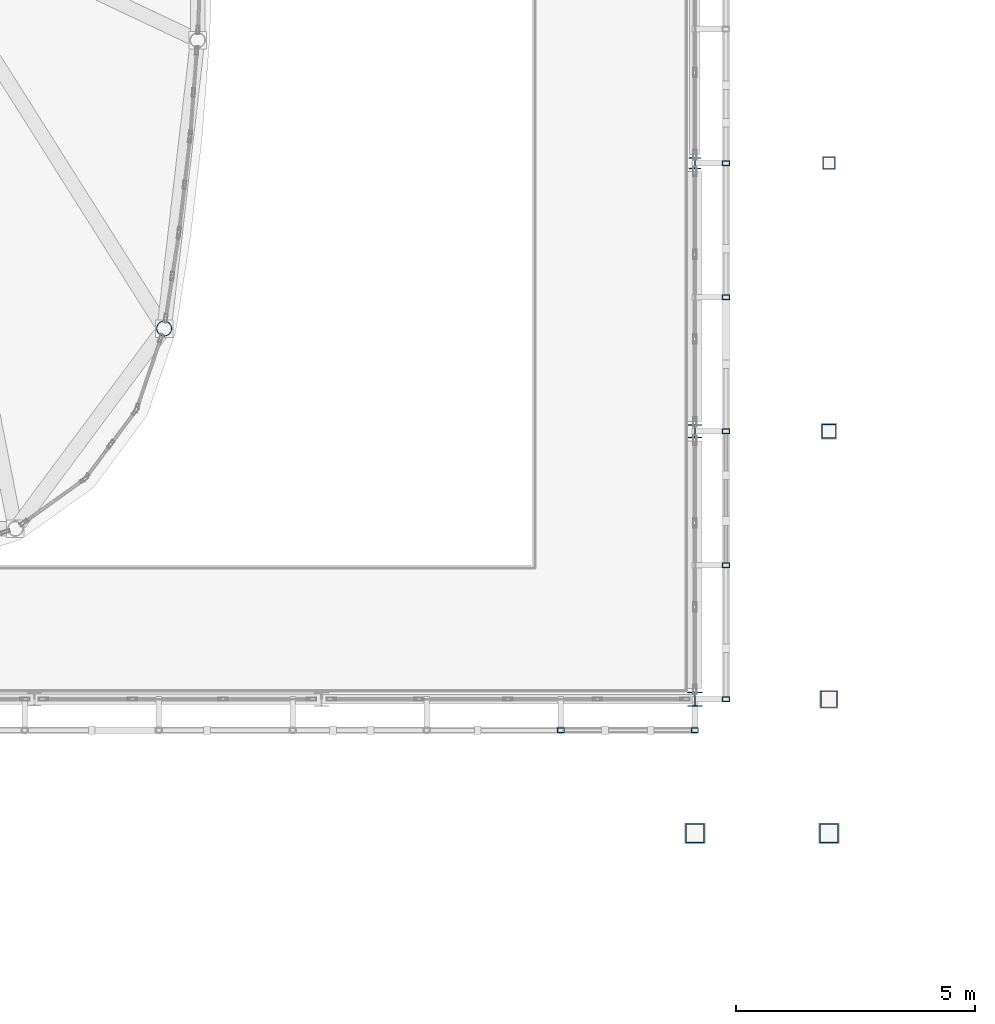
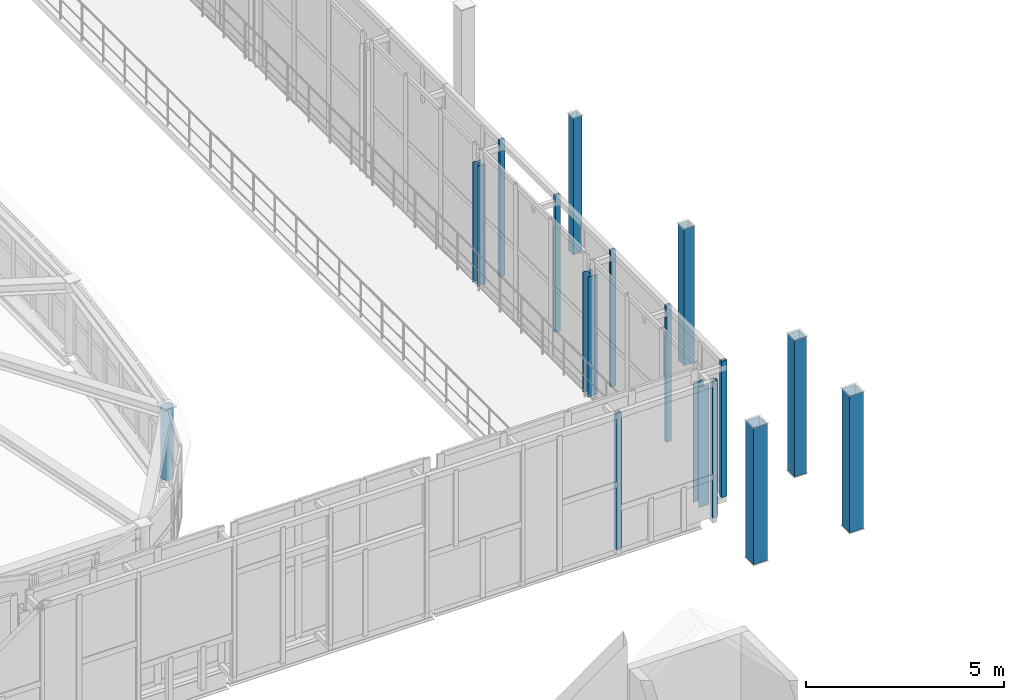
# One storey, part 4 of 78: 16 columns.
"""IFC4 building model written with IfcOpenShell, lengths in metres."""

import ifcopenshell
import ifcopenshell.guid

model = None  # the IFC model being written
_history = None  # IfcOwnerHistory: only IFC2X3 demands one
_inside = {}  # id of a spatial element -> (the spatial element, [elements in it])
_under = {}  # id of a project, library or spatial element -> (it, [spatial elements below it])
_declared = {}  # id of a project -> (the project, [libraries it declares])
_typed = {}  # id of a type object -> (the type object, [elements of that type])
_made_of = {}  # id of a material, layer set ... -> (it, [elements and type objects made of it])


def new_model(schema):
    """Start an empty IFC model of exactly this schema.

    Asked for "IFC4X3", IfcOpenShell would pick the latest addendum, in which some entities
    have other attributes; the version numbers below select the first issue.
    IFC2X3 requires an IfcOwnerHistory on every rooted entity: one is made here for all.
    """
    global model, _history
    if schema == "IFC4X3":
        model = ifcopenshell.file(schema_version=(4, 3, 0, 0))
    else:
        model = ifcopenshell.file(schema=schema)
    _inside.clear()
    _under.clear()
    _declared.clear()
    _typed.clear()
    _made_of.clear()
    _history = None
    if model.schema == "IFC2X3":
        org = make("IfcOrganization", Name="unknown")
        user = make(
            "IfcPersonAndOrganization",
            ThePerson=make("IfcPerson", FamilyName="unknown"),
            TheOrganization=org,
        )
        app = make(
            "IfcApplication",
            ApplicationDeveloper=org,
            Version="unknown",
            ApplicationFullName="unknown",
            ApplicationIdentifier="unknown",
        )
        _history = make(
            "IfcOwnerHistory",
            OwningUser=user,
            OwningApplication=app,
            ChangeAction="ADDED",
            CreationDate=0,
        )
    return model


def make(cls, **values):
    """One entity of the class cls with the attributes given. An attribute that is None is left unset."""
    return model.create_entity(
        cls, **{name: value for name, value in values.items() if value is not None}
    )


def rooted(cls, **values):
    """An entity with a GlobalId (a new one), such as an element, a storey or a relation."""
    return make(cls, GlobalId=ifcopenshell.guid.new(), OwnerHistory=_history, **values)


def si_unit(unit_type, name, prefix=None):
    """IfcSIUnit, for example si_unit("LENGTHUNIT", "METRE", prefix="MILLI")."""
    return make("IfcSIUnit", UnitType=unit_type, Prefix=prefix, Name=name)


def assignment(units):
    """IfcUnitAssignment: the units of a project."""
    return None if units is None else make("IfcUnitAssignment", Units=units)


def point(xyz):
    """IfcCartesianPoint."""
    return None if xyz is None else make("IfcCartesianPoint", Coordinates=xyz)


def direction(xyz):
    """IfcDirection."""
    return None if xyz is None else make("IfcDirection", DirectionRatios=xyz)


def frame(location, z_axis=None, x_axis=None):
    """IfcAxis2Placement3D, a coordinate frame: its origin and axes. An axis left out is left unset."""
    return make(
        "IfcAxis2Placement3D",
        Location=point(location),
        Axis=direction(z_axis),
        RefDirection=direction(x_axis),
    )


def frame_2d(location, x_axis=None):
    """IfcAxis2Placement2D, a coordinate frame in the plane: its origin and x axis."""
    return make(
        "IfcAxis2Placement2D", Location=point(location), RefDirection=direction(x_axis)
    )


def origin():
    """The frame at (0, 0, 0) with its axes left unset."""
    return frame((0.0, 0.0, 0.0))


def origin_2d():
    """The frame at (0, 0) in the plane with its x axis left unset."""
    return frame_2d((0.0, 0.0))


def place(relative_to, where):
    """IfcLocalPlacement: puts the frame where relative to a parent placement (None: the world)."""
    return make(
        "IfcLocalPlacement", PlacementRelTo=relative_to, RelativePlacement=where
    )


def context(
    kind, dimensions, precision=None, world=None, true_north=None, identifier=None
):
    """IfcGeometricRepresentationContext, for example the 3D "Model" context."""
    return make(
        "IfcGeometricRepresentationContext",
        ContextIdentifier=identifier,
        ContextType=kind,
        CoordinateSpaceDimension=dimensions,
        Precision=precision,
        WorldCoordinateSystem=world,
        TrueNorth=true_north,
    )


def subcontext(parent, identifier, kind, view, scale=None):
    """IfcGeometricRepresentationSubContext, for example "Body" below "Model"."""
    return make(
        "IfcGeometricRepresentationSubContext",
        ContextIdentifier=identifier,
        ContextType=kind,
        ParentContext=parent,
        TargetScale=scale,
        TargetView=view,
    )


def project(units=None, contexts=None):
    """IfcProject with its units and contexts."""
    return rooted(
        "IfcProject",
        Name="project",
        RepresentationContexts=contexts,
        UnitsInContext=assignment(units),
    )


def spatial(cls, under=None, at=None, **own):
    """A site, building, storey or space (cls), placed at a placement, below another one or the project."""
    s = rooted(cls, ObjectPlacement=at, **own)
    if under is not None:
        _under.setdefault(under.id(), (under, []))[1].append(s)
    return s


def profile(cls, at=None, kind="AREA", **sizes):
    """A parametric profile (cls). Its sizes go by their IFC names, for example OverallWidth=200.0."""
    return make(cls, ProfileType=kind, Position=at, **sizes)


def hollow_rectangle(**sizes):
    """IfcRectangleHollowProfileDef."""
    return profile("IfcRectangleHollowProfileDef", **sizes)


def hollow_circle(**sizes):
    """IfcCircleHollowProfileDef."""
    return profile("IfcCircleHollowProfileDef", **sizes)


def i_section(**sizes):
    """IfcIShapeProfileDef."""
    return profile("IfcIShapeProfileDef", **sizes)


def extrude(swept, where, along, depth):
    """IfcExtrudedAreaSolid: the profile swept, set in the frame where, extruded along a direction by depth."""
    return make(
        "IfcExtrudedAreaSolid",
        SweptArea=swept,
        Position=where,
        ExtrudedDirection=direction(along),
        Depth=depth,
    )


def shape(context_of_items, identifier, shape_type, items):
    """IfcShapeRepresentation: the items that make up one representation, for example the "Body"."""
    return make(
        "IfcShapeRepresentation",
        ContextOfItems=context_of_items,
        RepresentationIdentifier=identifier,
        RepresentationType=shape_type,
        Items=items,
    )


def material(Name=None, Category=None):
    """IfcMaterial."""
    return make("IfcMaterial", Name=Name, Category=Category)


def material_profile(
    of_material, cross_section, Name=None, Category=None, Priority=None
):
    """IfcMaterialProfile: a cross section and its material."""
    return make(
        "IfcMaterialProfile",
        Name=Name,
        Material=of_material,
        Profile=cross_section,
        Priority=Priority,
        Category=Category,
    )


def profile_set(profiles, Name=None, composite=None):
    """IfcMaterialProfileSet."""
    return make(
        "IfcMaterialProfileSet",
        Name=Name,
        MaterialProfiles=profiles,
        CompositeProfile=composite,
    )


def made_of(thing, what):
    """Note that an element or type object is made of a material, layer set ...; save() writes the relation."""
    if what is not None:
        _made_of.setdefault(what.id(), (what, []))[1].append(thing)
    return thing


def type_object(cls, material=None, **own):
    """A type object (cls), such as IfcWallType, which elements share."""
    return made_of(rooted(cls, **own), material)


def element(
    cls,
    number,
    at=None,
    inside=None,
    cuts=None,
    type_object=None,
    material=None,
    context=None,
    identifier="Body",
    shape_type=None,
    held_by="IfcProductDefinitionShape",
    body=None,
    shapes=None,
    **own,
):
    """One element of the class cls, such as IfcWall. Its Tag is "e" and its number.

    at: its placement. inside: the storey or other place that contains it. cuts: it is an
    opening in that element (IfcRelVoidsElement). A single representation is given by context,
    identifier, shape_type and body (its items); several are given by shapes. held_by: the class
    of the entity that holds the representations. save() writes the other relations.
    """
    e = rooted(cls, Tag="e%d" % number, ObjectPlacement=at, **own)
    if body is not None:
        shapes = [shape(context, identifier, shape_type, body)]
    if shapes is not None:
        e.Representation = make(held_by, Representations=shapes)
    if inside is not None:
        _inside.setdefault(inside.id(), (inside, []))[1].append(e)
    if cuts is not None:
        rooted(
            "IfcRelVoidsElement", RelatingBuildingElement=cuts, RelatedOpeningElement=e
        )
    if type_object is not None:
        _typed.setdefault(type_object.id(), (type_object, []))[1].append(e)
    return made_of(e, material)


def aggregate(whole, parts):
    """IfcRelAggregates: a whole, such as a stair, and the parts it consists of."""
    return rooted("IfcRelAggregates", RelatingObject=whole, RelatedObjects=parts)


def save(model, path):
    """Write the relations noted so far, then the file.

    IfcRelAggregates (storeys below a building ...), IfcRelContainedInSpatialStructure (elements
    in a storey), IfcRelDefinesByType, IfcRelAssociatesMaterial and IfcRelDeclares: one each for
    every whole, place, type object, material and project.
    """
    for whole, parts in _under.values():
        aggregate(whole, parts)
    for where, things in _inside.values():
        rooted(
            "IfcRelContainedInSpatialStructure",
            RelatedElements=things,
            RelatingStructure=where,
        )
    for kind, things in _typed.values():
        rooted("IfcRelDefinesByType", RelatedObjects=things, RelatingType=kind)
    for what, things in _made_of.values():
        rooted("IfcRelAssociatesMaterial", RelatedObjects=things, RelatingMaterial=what)
    for by, libraries in _declared.values():
        rooted("IfcRelDeclares", RelatingContext=by, RelatedDefinitions=libraries)
    model.write(path)


model = new_model("IFC4")

# Units and contexts
model_context = context("Model", 3, precision=1e-05, world=origin(), true_north=direction((0.0, 1.0)))
body_context = subcontext(model_context, "Body", "Model", "MODEL_VIEW")
ifc_project = project(units=[si_unit("LENGTHUNIT", "METRE"), si_unit("AREAUNIT", "SQUARE_METRE"), si_unit("VOLUMEUNIT", "CUBIC_METRE"), si_unit("PLANEANGLEUNIT", "RADIAN"), si_unit("MASSUNIT", "GRAM", prefix="KILO")], contexts=[model_context])

# Site, building, storey
site_placement = place(None, origin())
site = spatial("IfcSite", under=ifc_project, at=site_placement, CompositionType="ELEMENT")
building_placement = place(site_placement, origin())
building = spatial("IfcBuilding", under=site, at=building_placement, Name="Vinh Khe Railworks Police Headquarters", CompositionType="ELEMENT")
storey_placement = place(building_placement, frame((0.0, 0.0, 13.199951171875)))
storey = spatial("IfcBuildingStorey", under=building, at=storey_placement, Name="L03", CompositionType="ELEMENT", Elevation=13.199951171875)

# Columns
ifc_material = material(Name="Steel S355JR", Category="steel")
ifc_material_profile_1 = material_profile(ifc_material, hollow_rectangle(XDim=0.14990234375, YDim=0.10009765625, WallThickness=0.008056640625, at=origin_2d()), Name="RHS 150x100x8")
ifc_profile_set_1 = profile_set([ifc_material_profile_1], Name="Steel S355JR")
column_type_1 = type_object("IfcColumnType", Name="COL-QUILT-POST", PredefinedType="COLUMN", material=ifc_profile_set_1)
for number, where, z_axis, x_axis, name in (
    (1, (57.199951171875, 24.550048828125, 0.0), (0.0, 0.0, 1.0), (1.0, 0.0, 0.0), "Patchwork Quilt Carrier Column S-12 (L03)"),
    (2, (60.0, 24.550048828125, 0.0), (0.0, 0.0, 1.0), (1.0, 0.0, 0.0), "Patchwork Quilt Carrier Column S-13 (L03)"),
    (3, (60.64990234375, 25.199951171875, 0.0), (0.0, 0.0, 1.0), (1.0, 0.0, 0.0), "Patchwork Quilt Carrier Column E-1 (L03)"),
    (4, (60.64990234375, 28.0, 0.0), (0.0, 0.0, 1.0), (1.0, 0.0, 0.0), "Patchwork Quilt Carrier Column E-2 (L03)"),
    (5, (60.64990234375, 30.800048828125, 0.0), (0.0, 0.0, 1.0), (1.0, 0.0, 0.0), "Patchwork Quilt Carrier Column E-3 (L03)"),
    (6, (60.64990234375, 33.60009765625, 0.0), (0.0, 0.0, 1.0), (1.0, 0.0, 0.0), "Patchwork Quilt Carrier Column E-4 (L03)"),
    (7, (60.64990234375, 36.39990234375, 0.0), (0.0, 0.0, 1.0), (1.0, 0.0, 0.0), "Patchwork Quilt Carrier Column E-5 (L03)"),
):
    element("IfcColumn", number, at=place(storey_placement, frame(where, z_axis=z_axis, x_axis=x_axis)), inside=storey, type_object=column_type_1, Name=name, PredefinedType="COLUMN", context=body_context, shape_type="SweptSolid", body=[
        extrude(hollow_rectangle(XDim=0.14990234375, YDim=0.10009765625, WallThickness=0.008056640625, at=origin_2d()), origin(), (0.0, 0.0, 1.0), 4.199951171875),
    ])
ifc_material_profile_2 = material_profile(ifc_material, hollow_circle(Radius=0.161865234375, WallThickness=0.01611328125, at=origin_2d()), Name="CHS 323.9x16")
ifc_profile_set_2 = profile_set([ifc_material_profile_2], Name="Steel S355JR")
column_type_2 = type_object("IfcColumnType", Name="Steel Column CHS 323.9x16", PredefinedType="COLUMN", material=ifc_profile_set_2)
column_1_placement = place(storey_placement, frame((48.9130859375, 32.944091796875, 0.0), z_axis=(0.0, 0.0, 1.0), x_axis=(0.988148142789, -0.15350325046, 0.0)))
element("IfcColumn", 8, at=column_1_placement, inside=storey, type_object=column_type_2, Name="Column COL-L03-SC-28-0943", PredefinedType="COLUMN", context=body_context, shape_type="SweptSolid", body=[
    extrude(hollow_circle(Radius=0.161865234375, WallThickness=0.01611328125, at=origin_2d()), origin(), (0.0, 0.0, 1.0), 2.199951171875),
])
ifc_material_profile_3 = material_profile(ifc_material, i_section(OverallWidth=0.239990234375, OverallDepth=0.22998046875, WebThickness=0.007568359375, FlangeThickness=0.011962890625, FilletRadius=0.02099609375, at=origin_2d()), Name="HEA 240")
ifc_profile_set_3 = profile_set([ifc_material_profile_3], Name="Steel S355JR")
column_type_3 = type_object("IfcColumnType", Name="Steel Column HEA 240", PredefinedType="COLUMN", material=ifc_profile_set_3)
column_2_placement = place(storey_placement, frame((60.0, 36.39990234375, 0.0), z_axis=(0.0, 0.0, 1.0), x_axis=(1.0, 0.0, 0.0)))
element("IfcColumn", 9, at=column_2_placement, inside=storey, type_object=column_type_3, Name="Column COL-L03-SC-20-1021", PredefinedType="COLUMN", context=body_context, shape_type="SweptSolid", body=[
    extrude(i_section(OverallWidth=0.239990234375, OverallDepth=0.22998046875, WebThickness=0.007568359375, FlangeThickness=0.011962890625, FilletRadius=0.02099609375, at=origin_2d()), origin(), (0.0, 0.0, 1.0), 3.699951171875),
])
ifc_material_profile_4 = material_profile(ifc_material, i_section(OverallWidth=0.280029296875, OverallDepth=0.27001953125, WebThickness=0.008056640625, FlangeThickness=0.012939453125, FilletRadius=0.02392578125, at=origin_2d()), Name="HEA 280")
ifc_profile_set_4 = profile_set([ifc_material_profile_4], Name="Steel S355JR")
column_type_4 = type_object("IfcColumnType", Name="Steel Column HEA 280", PredefinedType="COLUMN", material=ifc_profile_set_4)
column_3_placement = place(storey_placement, frame((60.0, 30.800048828125, 0.0), z_axis=(0.0, 0.0, 1.0), x_axis=(1.0, 0.0, 0.0)))
element("IfcColumn", 10, at=column_3_placement, inside=storey, type_object=column_type_4, Name="Column COL-L03-SC-19-1016", PredefinedType="COLUMN", context=body_context, shape_type="SweptSolid", body=[
    extrude(i_section(OverallWidth=0.280029296875, OverallDepth=0.27001953125, WebThickness=0.008056640625, FlangeThickness=0.012939453125, FilletRadius=0.02392578125, at=origin_2d()), origin(), (0.0, 0.0, 1.0), 3.699951171875),
])
ifc_material_profile_5 = material_profile(ifc_material, i_section(OverallWidth=0.300048828125, OverallDepth=0.2900390625, WebThickness=0.008544921875, FlangeThickness=0.013916015625, FilletRadius=0.027099609375, at=origin_2d()), Name="HEA 300")
ifc_profile_set_5 = profile_set([ifc_material_profile_5], Name="Steel S355JR")
column_type_5 = type_object("IfcColumnType", Name="Steel Column HEA 300", PredefinedType="COLUMN", material=ifc_profile_set_5)
column_4_placement = place(storey_placement, frame((60.0, 25.199951171875, 0.0), z_axis=(0.0, 0.0, 1.0), x_axis=(1.0, 0.0, 0.0)))
element("IfcColumn", 11, at=column_4_placement, inside=storey, type_object=column_type_5, Name="Column COL-L03-SC-18-1011", PredefinedType="COLUMN", context=body_context, shape_type="SweptSolid", body=[
    extrude(i_section(OverallWidth=0.300048828125, OverallDepth=0.2900390625, WebThickness=0.008544921875, FlangeThickness=0.013916015625, FilletRadius=0.027099609375, at=origin_2d()), origin(), (0.0, 0.0, 1.0), 3.699951171875),
])
ifc_material_profile_6 = material_profile(ifc_material, hollow_rectangle(XDim=0.25, YDim=0.25, WallThickness=0.012451171875, at=origin_2d()), Name="SHS 250x250x12.5")
ifc_profile_set_6 = profile_set([ifc_material_profile_6], Name="Steel S355JR")
column_type_6 = type_object("IfcColumnType", Name="Steel Column SHS 250x250x12.5", PredefinedType="COLUMN", material=ifc_profile_set_6)
column_5_placement = place(storey_placement, frame((62.800048828125, 36.39990234375, 0.0), z_axis=(0.0, 0.0, 1.0), x_axis=(1.0, 0.0, 0.0)))
element("IfcColumn", 12, at=column_5_placement, inside=storey, type_object=column_type_6, Name="Column COL-L03-SC-24-1085", PredefinedType="COLUMN", context=body_context, shape_type="SweptSolid", body=[
    extrude(hollow_rectangle(XDim=0.25, YDim=0.25, WallThickness=0.012451171875, at=origin_2d()), origin(), (0.0, 0.0, 1.0), 4.199951171875),
])
ifc_material_profile_7 = material_profile(ifc_material, hollow_rectangle(XDim=0.300048828125, YDim=0.300048828125, WallThickness=0.01611328125, at=origin_2d()), Name="SHS 300x300x16")
ifc_profile_set_7 = profile_set([ifc_material_profile_7], Name="Steel S355JR")
column_type_7 = type_object("IfcColumnType", Name="Steel Column SHS 300x300x16", PredefinedType="COLUMN", material=ifc_profile_set_7)
column_6_placement = place(storey_placement, frame((62.800048828125, 30.800048828125, 0.0), z_axis=(0.0, 0.0, 1.0), x_axis=(1.0, 0.0, 0.0)))
element("IfcColumn", 13, at=column_6_placement, inside=storey, type_object=column_type_7, Name="Column COL-L03-SC-23-1080", PredefinedType="COLUMN", context=body_context, shape_type="SweptSolid", body=[
    extrude(hollow_rectangle(XDim=0.300048828125, YDim=0.300048828125, WallThickness=0.01611328125, at=origin_2d()), origin(), (0.0, 0.0, 1.0), 4.199951171875),
])
ifc_material_profile_8 = material_profile(ifc_material, hollow_rectangle(XDim=0.35009765625, YDim=0.35009765625, WallThickness=0.01611328125, at=origin_2d()), Name="SHS 350x350x16")
ifc_profile_set_8 = profile_set([ifc_material_profile_8], Name="Steel S355JR")
column_type_8 = type_object("IfcColumnType", Name="Steel Column SHS 350x350x16", PredefinedType="COLUMN", material=ifc_profile_set_8)
column_7_placement = place(storey_placement, frame((62.800048828125, 25.199951171875, 0.0), z_axis=(0.0, 0.0, 1.0), x_axis=(1.0, 0.0, 0.0)))
element("IfcColumn", 14, at=column_7_placement, inside=storey, type_object=column_type_8, Name="Column COL-L03-SC-22-1075", PredefinedType="COLUMN", context=body_context, shape_type="SweptSolid", body=[
    extrude(hollow_rectangle(XDim=0.35009765625, YDim=0.35009765625, WallThickness=0.01611328125, at=origin_2d()), origin(), (0.0, 0.0, 1.0), 4.199951171875),
])
ifc_material_profile_9 = material_profile(ifc_material, hollow_rectangle(XDim=0.39990234375, YDim=0.39990234375, WallThickness=0.02001953125, at=origin_2d()), Name="SHS 400x400x20")
ifc_profile_set_9 = profile_set([ifc_material_profile_9], Name="Steel S355JR")
column_type_9 = type_object("IfcColumnType", Name="Steel Column SHS 400x400x20", PredefinedType="COLUMN", material=ifc_profile_set_9)
for number, where, z_axis, x_axis, name in (
    (15, (60.0, 22.39990234375, 0.0), (0.0, 0.0, 1.0), (1.0, 0.0, 0.0), "Column COL-L03-SC-21-1006"),
    (16, (62.800048828125, 22.39990234375, 0.0), (0.0, 0.0, 1.0), (1.0, 0.0, 0.0), "Column COL-L03-SC-21-1070"),
):
    element("IfcColumn", number, at=place(storey_placement, frame(where, z_axis=z_axis, x_axis=x_axis)), inside=storey, type_object=column_type_9, Name=name, PredefinedType="COLUMN", context=body_context, shape_type="SweptSolid", body=[
        extrude(hollow_rectangle(XDim=0.39990234375, YDim=0.39990234375, WallThickness=0.02001953125, at=origin_2d()), origin(), (0.0, 0.0, 1.0), 4.199951171875),
    ])

save(model, "model.ifc")
